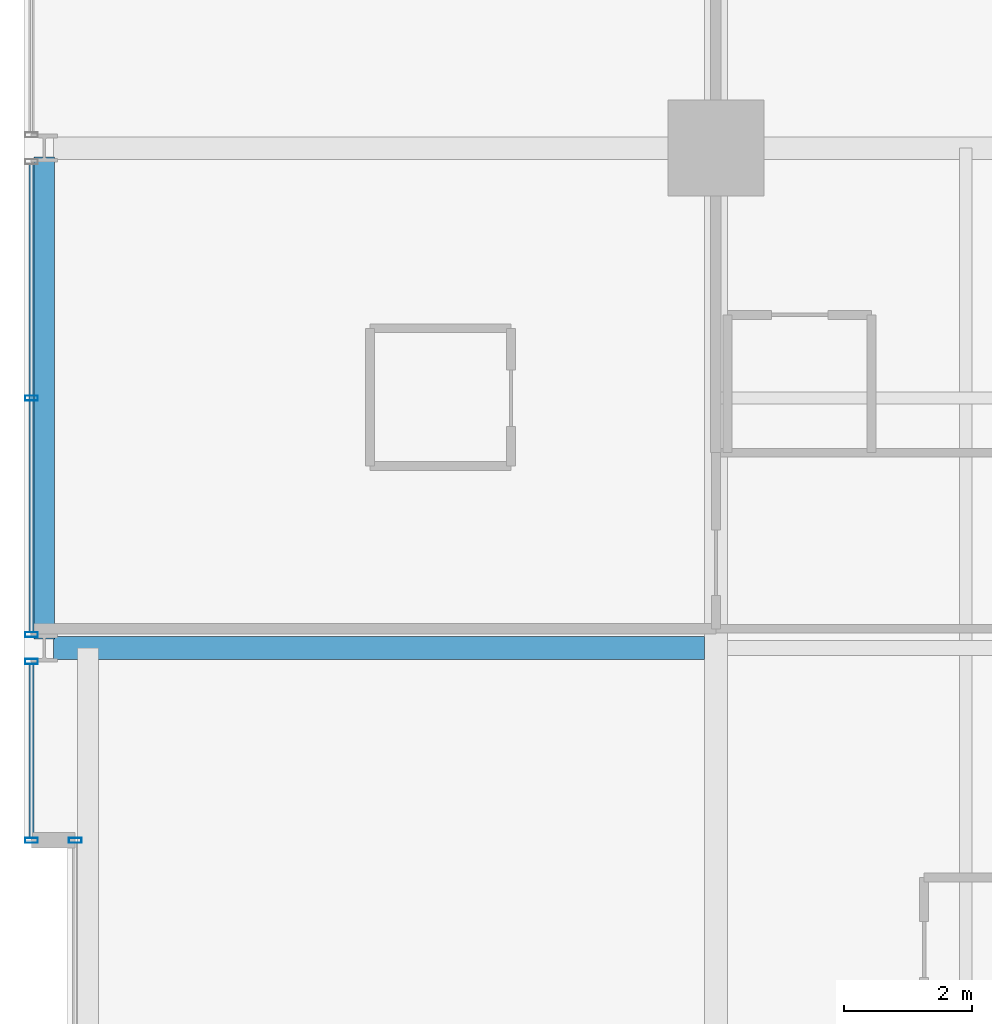
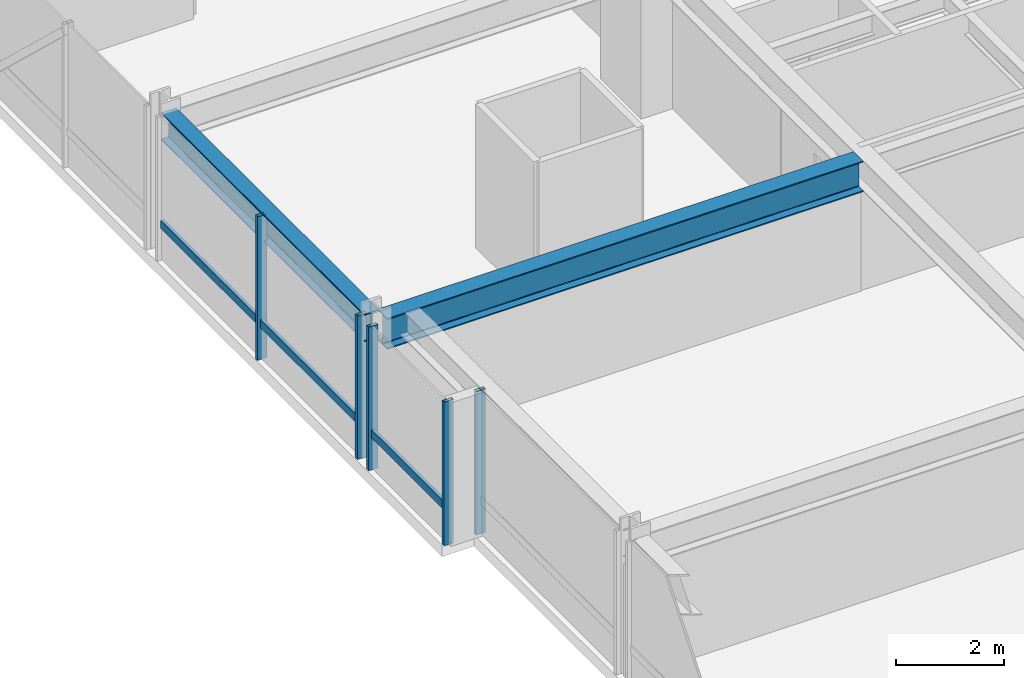
# One storey, part 16 of 33: 7 members, 2 beams, 3 elements without a shape of their own.
"""IFC4 building model written with IfcOpenShell, lengths in metres."""

from ifc_helpers import new_model, si_unit, direction, frame, origin, origin_2d, place, context, subcontext, project, spatial, hollow_rectangle, i_section, extrude, material, layer, layer_set, material_profile, profile_set, type_object, element, aggregate, save


model = new_model("IFC4")

# Units and contexts
model_context = context("Model", 3, precision=1e-05, world=origin(), true_north=direction((0.0, 1.0)))
body_context = subcontext(model_context, "Body", "Model", "MODEL_VIEW")
ifc_project = project(units=[si_unit("LENGTHUNIT", "METRE"), si_unit("AREAUNIT", "SQUARE_METRE"), si_unit("VOLUMEUNIT", "CUBIC_METRE"), si_unit("PLANEANGLEUNIT", "RADIAN"), si_unit("MASSUNIT", "GRAM", prefix="KILO")], contexts=[model_context])

# Site, building, storey
site_placement = place(None, origin())
site = spatial("IfcSite", under=ifc_project, at=site_placement, CompositionType="ELEMENT")
building_placement = place(site_placement, origin())
building = spatial("IfcBuilding", under=site, at=building_placement, Name="Drelvath Grand Hotel", CompositionType="ELEMENT")
storey_placement = place(building_placement, frame((0.0, 0.0, 119.800048828125)))
storey = spatial("IfcBuildingStorey", under=building, at=storey_placement, Name="L30", CompositionType="ELEMENT", Elevation=119.800048828125)

# Curtain wall, member
ifc_material_1 = material(Name="Champagne Bronze Anodised Aluminium Frame", Category="aluminium")
ifc_layer = layer(ifc_material_1, 0.199951171875)
ifc_layer_set = layer_set([ifc_layer], Name="Champagne Bronze Anodised Aluminium Frame")
curtain_wall_type = type_object("IfcCurtainWallType", Name="Stick Curtain Wall CW-03 Champagne Bronze Mid-Rise", PredefinedType="NOTDEFINED", material=ifc_layer_set)
curtain_wall_1_placement = place(storey_placement, origin())
curtain_wall_1 = element("IfcCurtainWall", 1, at=curtain_wall_1_placement, inside=storey, type_object=curtain_wall_type, Name="L30 CW-03 Curtain Wall CW03-L30-WN1", PredefinedType="NOTDEFINED")
ifc_material_profile_1 = material_profile(ifc_material_1, hollow_rectangle(XDim=0.074951171875, YDim=0.179931640625, WallThickness=0.0048828125, at=origin_2d()), Name="HSS180X75X5")
ifc_profile_set_1 = profile_set([ifc_material_profile_1], Name="Champagne Bronze Anodised Aluminium Frame")
member_type_1 = type_object("IfcMemberType", Name="Curtain Wall Horizontal Transom CW-03 HSS180X75X5", PredefinedType="USERDEFINED", material=ifc_profile_set_1)
member_1_placement = place(storey_placement, frame((-26.8798828125, 32.43994140625, 0.81005859375), z_axis=(0.0, 1.0, 0.0), x_axis=(-1.0, 0.0, 0.0)))
member_1 = element("IfcMember", 2, at=member_1_placement, type_object=member_type_1, Name="CW03-L30-WN1 Sill Transom", ObjectType="TRANSOM", PredefinedType="USERDEFINED", context=body_context, shape_type="SweptSolid", body=[
    extrude(hollow_rectangle(XDim=0.074951171875, YDim=0.179931640625, WallThickness=0.0048828125, at=origin_2d()), origin(), (0.0, 0.0, 1.0), 2.710693359375),
])

curtain_wall_2_placement = place(storey_placement, origin())
curtain_wall_2 = element("IfcCurtainWall", 3, at=curtain_wall_2_placement, inside=storey, type_object=curtain_wall_type, Name="L30 CW-03 Curtain Wall CW03-L30-WN2", PredefinedType="NOTDEFINED")
member_2_placement = place(storey_placement, frame((-26.8798828125, 35.6494140625, 0.81005859375), z_axis=(0.0, 1.0, 0.0), x_axis=(-1.0, 0.0, 0.0)))
member_2 = element("IfcMember", 4, at=member_2_placement, type_object=member_type_1, Name="CW03-L30-WN2 Sill Transom", ObjectType="TRANSOM", PredefinedType="USERDEFINED", context=body_context, shape_type="SweptSolid", body=[
    extrude(hollow_rectangle(XDim=0.074951171875, YDim=0.179931640625, WallThickness=0.0048828125, at=origin_2d()), origin(), (0.0, 0.0, 1.0), 7.30126953125),
])

curtain_wall_3_placement = place(storey_placement, origin())
curtain_wall_3 = element("IfcCurtainWall", 5, at=curtain_wall_3_placement, inside=storey, type_object=curtain_wall_type, Name="L30 CW-03 Curtain Wall CW03-L30-WM2", PredefinedType="NOTDEFINED")
ifc_material_profile_2 = material_profile(ifc_material_1, hollow_rectangle(XDim=0.080078125, YDim=0.199951171875, WallThickness=0.0048828125, at=origin_2d()), Name="HSS200X80X5")
ifc_profile_set_2 = profile_set([ifc_material_profile_2], Name="Champagne Bronze Anodised Aluminium Frame")
member_type_2 = type_object("IfcMemberType", Name="Curtain Wall Vertical Mullion CW-03 HSS200X80X5", PredefinedType="MULLION", material=ifc_profile_set_2)
member_3_placement = place(storey_placement, frame((-26.199951171875, 32.39990234375, 0.0), z_axis=(0.0, 0.0, 1.0), x_axis=(0.0, 1.0, 0.0)))
member_3 = element("IfcMember", 6, at=member_3_placement, type_object=member_type_2, Name="CW03-L30-WM2 Mullion 2", PredefinedType="MULLION", context=body_context, shape_type="SweptSolid", body=[
    extrude(hollow_rectangle(XDim=0.080078125, YDim=0.199951171875, WallThickness=0.0048828125, at=origin_2d()), origin(), (0.0, 0.0, 1.0), 3.239990234375),
])
aggregate(curtain_wall_3, [member_3])

# Member
member_4_placement = place(storey_placement, frame((-26.8798828125, 32.39990234375, 0.0), z_axis=(0.0, 0.0, 1.0), x_axis=(0.0, 1.0, 0.0)))
member_4 = element("IfcMember", 7, at=member_4_placement, type_object=member_type_2, Name="CW03-L30-WN1 Mullion 1", PredefinedType="MULLION", context=body_context, shape_type="SweptSolid", body=[
    extrude(hollow_rectangle(XDim=0.080078125, YDim=0.199951171875, WallThickness=0.0048828125, at=origin_2d()), origin(), (0.0, 0.0, 1.0), 3.239990234375),
])

member_5_placement = place(storey_placement, frame((-26.8798828125, 35.190673828125, 0.0), z_axis=(0.0, 0.0, 1.0), x_axis=(0.0, 1.0, 0.0)))
member_5 = element("IfcMember", 8, at=member_5_placement, type_object=member_type_2, Name="CW03-L30-WN1 Mullion 2", PredefinedType="MULLION", context=body_context, shape_type="SweptSolid", body=[
    extrude(hollow_rectangle(XDim=0.080078125, YDim=0.199951171875, WallThickness=0.0048828125, at=origin_2d()), origin(), (0.0, 0.0, 1.0), 3.239990234375),
])

aggregate(curtain_wall_1, [member_4, member_5, member_1])

member_6_placement = place(storey_placement, frame((-26.8798828125, 35.609375, 0.0), z_axis=(0.0, 0.0, 1.0), x_axis=(0.0, 1.0, 0.0)))
member_6 = element("IfcMember", 9, at=member_6_placement, type_object=member_type_2, Name="CW03-L30-WN2 Mullion 1", PredefinedType="MULLION", context=body_context, shape_type="SweptSolid", body=[
    extrude(hollow_rectangle(XDim=0.080078125, YDim=0.199951171875, WallThickness=0.0048828125, at=origin_2d()), origin(), (0.0, 0.0, 1.0), 3.239990234375),
])

member_7_placement = place(storey_placement, frame((-26.8798828125, 39.300048828125, 0.0), z_axis=(0.0, 0.0, 1.0), x_axis=(0.0, 1.0, 0.0)))
member_7 = element("IfcMember", 10, at=member_7_placement, type_object=member_type_2, Name="CW03-L30-WN2 Mullion 2", PredefinedType="MULLION", context=body_context, shape_type="SweptSolid", body=[
    extrude(hollow_rectangle(XDim=0.080078125, YDim=0.199951171875, WallThickness=0.0048828125, at=origin_2d()), origin(), (0.0, 0.0, 1.0), 3.239990234375),
])

aggregate(curtain_wall_2, [member_6, member_7, member_2])

# Beams
ifc_material_2 = material(Name="Steel ASTM A992 Gr 50", Category="steel")
ifc_material_profile_3 = material_profile(ifc_material_2, i_section(OverallWidth=0.323974609375, OverallDepth=0.611083984375, WebThickness=0.0126953125, FlangeThickness=0.01904296875, FilletRadius=0.02197265625, at=origin_2d()), Name="W24X104")
ifc_profile_set_3 = profile_set([ifc_material_profile_3], Name="Steel ASTM A992 Gr 50")
beam_type_1 = type_object("IfcBeamType", Name="Perimeter Spandrel Beam W24X104", PredefinedType="SPANDREL", material=ifc_profile_set_3)
beam_1_placement = place(storey_placement, frame((-26.679931640625, 35.5400390625, 2.9345703125), z_axis=(0.0, 1.0, 0.0), x_axis=(-1.0, 0.0, 0.0)))
element("IfcBeam", 11, at=beam_1_placement, inside=storey, type_object=beam_type_1, Name="L30 Spandrel West N", PredefinedType="SPANDREL", context=body_context, shape_type="SweptSolid", body=[
    extrude(i_section(OverallWidth=0.323974609375, OverallDepth=0.611083984375, WebThickness=0.0126953125, FlangeThickness=0.01904296875, FilletRadius=0.02197265625, at=origin_2d()), origin(), (0.0, 0.0, 1.0), 7.52001953125),
])
ifc_material_profile_4 = material_profile(ifc_material_2, i_section(OverallWidth=0.354736328125, OverallDepth=0.695556640625, WebThickness=0.015380859375, FlangeThickness=0.025146484375, FilletRadius=0.02392578125, at=origin_2d()), Name="W27X146")
ifc_profile_set_4 = profile_set([ifc_material_profile_4], Name="Steel ASTM A992 Gr 50")
beam_type_2 = type_object("IfcBeamType", Name="Primary Floor Girder W27X146", PredefinedType="BEAM", material=ifc_profile_set_4)
beam_2_placement = place(storey_placement, frame((-26.5400390625, 35.39990234375, 2.892333984375), z_axis=(1.0, 0.0, 0.0), x_axis=(0.0, 1.0, 0.0)))
element("IfcBeam", 12, at=beam_2_placement, inside=storey, type_object=beam_type_2, Name="L30 West Wing Girder F", PredefinedType="BEAM", context=body_context, shape_type="SweptSolid", body=[
    extrude(i_section(OverallWidth=0.354736328125, OverallDepth=0.695556640625, WebThickness=0.015380859375, FlangeThickness=0.025146484375, FilletRadius=0.02392578125, at=origin_2d()), origin(), (0.0, 0.0, 1.0), 10.16259765625),
])

save(model, "model.ifc")
